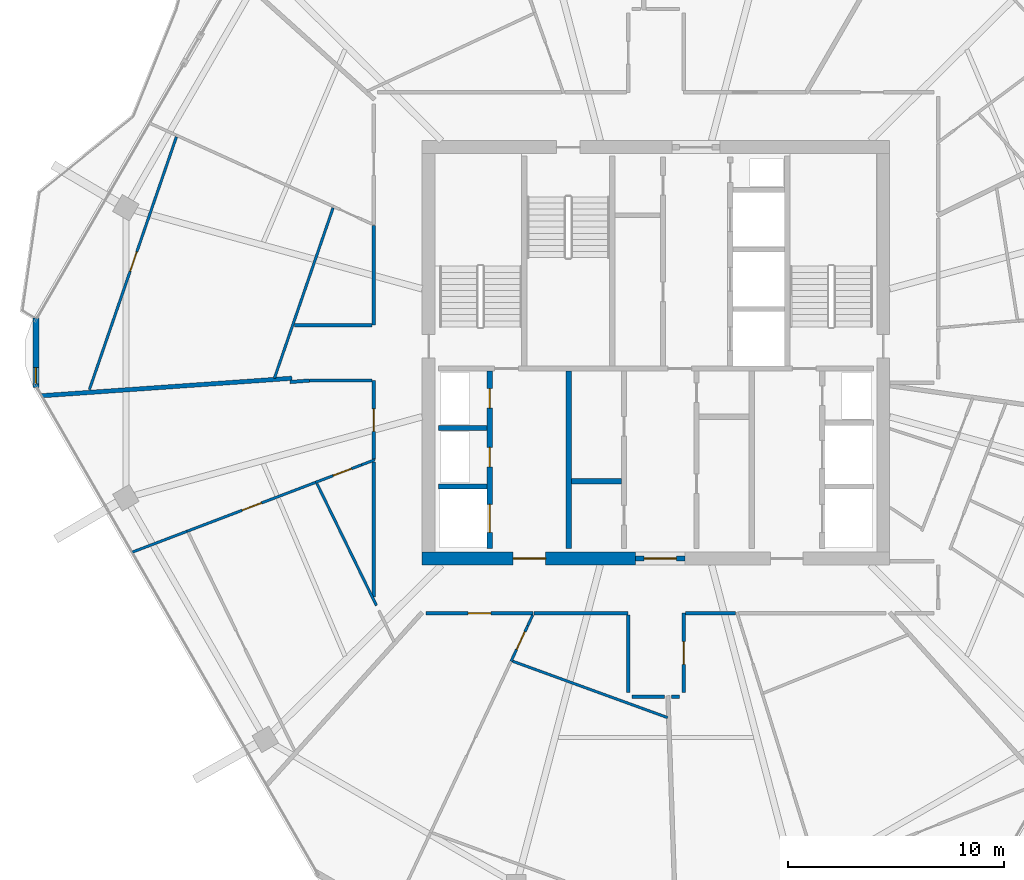
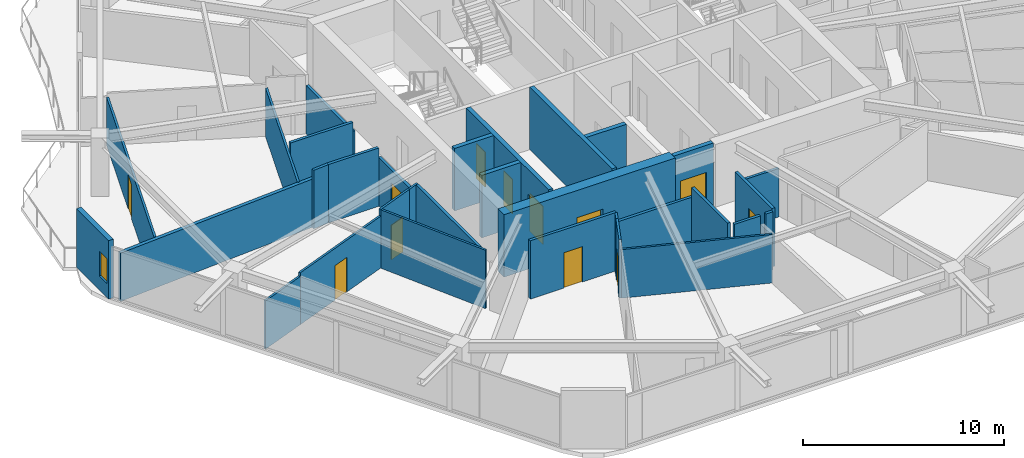
# One storey, part 18 of 25: 32 walls, 12 doors, 1 window, 13 openings.
"""IFC4 building model written with IfcOpenShell, lengths in metres."""

from ifc_helpers import new_model, si_unit, direction, frame, frame_2d, origin, place, context, subcontext, project, spatial, rectangle, extrude, material, layer, layer_set, type_object, element, fill, save


model = new_model("IFC4")

# Units and contexts
model_context = context("Model", 3, precision=1e-05, world=origin(), true_north=direction((0.0, 1.0)))
body_context = subcontext(model_context, "Body", "Model", "MODEL_VIEW")
ifc_project = project(units=[si_unit("LENGTHUNIT", "METRE"), si_unit("AREAUNIT", "SQUARE_METRE"), si_unit("VOLUMEUNIT", "CUBIC_METRE"), si_unit("PLANEANGLEUNIT", "RADIAN"), si_unit("MASSUNIT", "GRAM", prefix="KILO")], contexts=[model_context])

# Site, building, storey
site_placement = place(None, origin())
site = spatial("IfcSite", under=ifc_project, at=site_placement, CompositionType="ELEMENT")
building_placement = place(site_placement, origin())
building = spatial("IfcBuilding", under=site, at=building_placement, Name="Zuhravey Tower", CompositionType="ELEMENT")
storey_placement = place(building_placement, frame((0.0, 0.0, 235.0)))
storey = spatial("IfcBuildingStorey", under=building, at=storey_placement, Name="L59", CompositionType="ELEMENT", Elevation=235.0)

# Wall, opening, door
ifc_material_1 = material(Name="Concrete C50/60", Category="concrete")
ifc_layer_1 = layer(ifc_material_1, 0.60009765625)
ifc_layer_set_1 = layer_set([ifc_layer_1], Name="Concrete C50/60")
wall_type_1 = type_object("IfcWallType", Name="Core Shear Wall 600", PredefinedType="SHEAR", material=ifc_layer_set_1)
wall_1_placement = place(storey_placement, frame((25.199951171875, 22.5, 0.0), z_axis=(0.0, 0.0, 1.0), x_axis=(1.0, 0.0, 0.0)))
wall_1 = element("IfcWall", 1, at=wall_1_placement, inside=storey, type_object=wall_type_1, Name="L59 South-West Core Shear Wall CW60", PredefinedType="SHEAR", context=body_context, shape_type="SweptSolid", body=[
    extrude(rectangle(XDim=9.85009765625, YDim=0.60009765625, at=frame_2d((4.925048828125, 0.0))), origin(), (0.0, 0.0, 1.0), 3.800048828125),
])
opening_1_placement = place(wall_1_placement, frame((4.199951171875, 0.0, 0.0)))
opening_1 = element("IfcOpeningElement", 2, at=opening_1_placement, cuts=wall_1, Name="Opening FFD1", PredefinedType="OPENING", context=body_context, shape_type="SweptSolid", body=[
    extrude(rectangle(XDim=1.5, YDim=2.14990234375, at=frame_2d((0.75, 1.074951171875))), frame((0.0, 0.31201171875, 0.0), z_axis=(0.0, -1.0, 0.0), x_axis=(1.0, 0.0, 0.0)), (0.0, 0.0, 1.0), 0.6240234375),
])
ifc_material_2 = material(Name="Galvanised fire-rated steel leaf", Category="steel")
door_type_1 = type_object("IfcDoorType", Name="Firefighting Lobby Double Door 1500x2150", OperationType="DOUBLE_DOOR_SINGLE_SWING", PredefinedType="DOOR", material=ifc_material_2)
door_1_placement = place(opening_1_placement, origin())
door_1 = element("IfcDoor", 3, at=door_1_placement, inside=storey, type_object=door_type_1, Name="L59 Firefighting Lobby West Door", OperationType="DOUBLE_DOOR_SINGLE_SWING", OverallHeight=2.14990234375, OverallWidth=1.5, PredefinedType="DOOR", context=body_context, shape_type="SweptSolid", body=[
    extrude(rectangle(XDim=1.5, YDim=2.14990234375, at=frame_2d((0.75, 1.074951171875))), frame((0.0, 0.02490234375, 0.0), z_axis=(0.0, -1.0, 0.0), x_axis=(1.0, 0.0, 0.0)), (0.0, 0.0, 1.0), 0.050048828125),
])
fill(opening_1, door_1)

ifc_material_3 = material(Name="Gypsum fire-rated stud partition")
ifc_layer_2 = layer(ifc_material_3, 0.159912109375)
ifc_layer_set_2 = layer_set([ifc_layer_2], Name="Gypsum fire-rated stud partition")
wall_type_2 = type_object("IfcWallType", Name="Corridor Fire Partition 160", PredefinedType="PARTITIONING", material=ifc_layer_set_2)
wall_2_placement = place(storey_placement, frame((22.969970703125, 30.719970703125, 0.0), z_axis=(0.0, 0.0, 1.0), x_axis=(0.0, -1.0, 0.0)))
wall_2 = element("IfcWall", 4, at=wall_2_placement, inside=storey, type_object=wall_type_2, Name="L59 IW16 Partition 032", PredefinedType="PARTITIONING", context=body_context, shape_type="SweptSolid", body=[
    extrude(rectangle(XDim=3.65869140625, YDim=0.159912109375, at=frame_2d((1.829345703125, 0.0))), origin(), (0.0, 0.0, 1.0), 2.949951171875),
])
opening_2_placement = place(wall_2_placement, frame((1.30419921875, 0.0, 0.0)))
opening_2 = element("IfcOpeningElement", 5, at=opening_2_placement, cuts=wall_2, Name="Opening APD1", PredefinedType="OPENING", context=body_context, shape_type="SweptSolid", body=[
    extrude(rectangle(XDim=1.050048828125, YDim=2.14990234375, at=frame_2d((0.52490234375, 1.074951171875))), frame((0.0, 0.092041015625, 0.0), z_axis=(0.0, -1.0, 0.0), x_axis=(1.0, 0.0, 0.0)), (0.0, 0.0, 1.0), 0.183837890625),
])
ifc_material_4 = material(Name="Solid-core oak fire-rated leaf")
door_type_2 = type_object("IfcDoorType", Name="Apartment Entrance Fire Door 1050x2150", OperationType="NOTDEFINED", PredefinedType="DOOR", material=ifc_material_4)
door_2_placement = place(opening_2_placement, frame((1.050048828125, 0.0, 0.0), z_axis=(0.0, 0.0, 1.0), x_axis=(-1.0, 0.0, 0.0)))
door_2 = element("IfcDoor", 6, at=door_2_placement, inside=storey, type_object=door_type_2, Name="L59 Door 032.1", OperationType="SINGLE_SWING_LEFT", OverallHeight=2.14990234375, OverallWidth=1.050048828125, PredefinedType="DOOR", context=body_context, shape_type="SweptSolid", body=[
    extrude(rectangle(XDim=1.050048828125, YDim=2.14990234375, at=frame_2d((0.52490234375, 1.074951171875))), frame((0.0, 0.02490234375, 0.0), z_axis=(0.0, -1.0, 0.0), x_axis=(1.0, 0.0, 0.0)), (0.0, 0.0, 1.0), 0.050048828125),
])
fill(opening_2, door_2)

wall_3_placement = place(storey_placement, frame((25.383544921875, 19.969970703125, 0.0), z_axis=(0.0, 0.0, 1.0), x_axis=(1.0, 0.0, 0.0)))
wall_3 = element("IfcWall", 7, at=wall_3_placement, inside=storey, type_object=wall_type_2, Name="L59 IW16 Partition 036", PredefinedType="PARTITIONING", context=body_context, shape_type="SweptSolid", body=[
    extrude(rectangle(XDim=4.94384765625, YDim=0.159912109375, at=frame_2d((2.471923828125, 0.0))), origin(), (0.0, 0.0, 1.0), 3.550048828125),
])
opening_3_placement = place(wall_3_placement, frame((1.947021484375, 0.0, 0.0)))
opening_3 = element("IfcOpeningElement", 8, at=opening_3_placement, cuts=wall_3, Name="Opening APD1", PredefinedType="OPENING", context=body_context, shape_type="SweptSolid", body=[
    extrude(rectangle(XDim=1.050048828125, YDim=2.14990234375, at=frame_2d((0.52490234375, 1.074951171875))), frame((0.0, 0.092041015625, 0.0), z_axis=(0.0, -1.0, 0.0), x_axis=(1.0, 0.0, 0.0)), (0.0, 0.0, 1.0), 0.183837890625),
])
door_3_placement = place(opening_3_placement, frame((1.050048828125, 0.0, 0.0), z_axis=(0.0, 0.0, 1.0), x_axis=(-1.0, 0.0, 0.0)))
door_3 = element("IfcDoor", 9, at=door_3_placement, inside=storey, type_object=door_type_2, Name="L59 Door 036.1", OperationType="SINGLE_SWING_LEFT", OverallHeight=2.14990234375, OverallWidth=1.050048828125, PredefinedType="DOOR", context=body_context, shape_type="SweptSolid", body=[
    extrude(rectangle(XDim=1.050048828125, YDim=2.14990234375, at=frame_2d((0.52490234375, 1.074951171875))), frame((0.0, 0.02490234375, 0.0), z_axis=(0.0, -1.0, 0.0), x_axis=(1.0, 0.0, 0.0)), (0.0, 0.0, 1.0), 0.050048828125),
])
fill(opening_3, door_3)

wall_4_placement = place(storey_placement, frame((37.280029296875, 16.300048828125, 0.0), z_axis=(0.0, 0.0, 1.0), x_axis=(0.0, 1.0, 0.0)))
wall_4 = element("IfcWall", 10, at=wall_4_placement, inside=storey, type_object=wall_type_2, Name="L59 IW16 Partition 040", PredefinedType="PARTITIONING", context=body_context, shape_type="SweptSolid", body=[
    extrude(rectangle(XDim=3.669921875, YDim=0.159912109375, at=frame_2d((1.8349609375, 0.0))), origin(), (0.0, 0.0, 1.0), 3.550048828125),
])
opening_4_placement = place(wall_4_placement, frame((1.31005859375, 0.0, 0.0)))
opening_4 = element("IfcOpeningElement", 11, at=opening_4_placement, cuts=wall_4, Name="Opening APD1", PredefinedType="OPENING", context=body_context, shape_type="SweptSolid", body=[
    extrude(rectangle(XDim=1.050048828125, YDim=2.14990234375, at=frame_2d((0.52490234375, 1.074951171875))), frame((0.0, 0.092041015625, 0.0), z_axis=(0.0, -1.0, 0.0), x_axis=(1.0, 0.0, 0.0)), (0.0, 0.0, 1.0), 0.183837890625),
])
door_4_placement = place(opening_4_placement, frame((1.050048828125, 0.0, 0.0), z_axis=(0.0, 0.0, 1.0), x_axis=(-1.0, 0.0, 0.0)))
door_4 = element("IfcDoor", 12, at=door_4_placement, inside=storey, type_object=door_type_2, Name="L59 Door 040.1", OperationType="SINGLE_SWING_LEFT", OverallHeight=2.14990234375, OverallWidth=1.050048828125, PredefinedType="DOOR", context=body_context, shape_type="SweptSolid", body=[
    extrude(rectangle(XDim=1.050048828125, YDim=2.14990234375, at=frame_2d((0.52490234375, 1.074951171875))), frame((0.0, 0.02490234375, 0.0), z_axis=(0.0, -1.0, 0.0), x_axis=(1.0, 0.0, 0.0)), (0.0, 0.0, 1.0), 0.050048828125),
])
fill(opening_4, door_4)

# Walls
wall_5_placement = place(storey_placement, frame((22.969970703125, 37.888671875, 0.0), z_axis=(0.0, 0.0, 1.0), x_axis=(0.0, -1.0, 0.0)))
element("IfcWall", 13, at=wall_5_placement, inside=storey, type_object=wall_type_2, Name="L59 IW16 Partition 097", PredefinedType="PARTITIONING", context=body_context, shape_type="SweptSolid", body=[
    extrude(rectangle(XDim=4.608642578125, YDim=0.159912109375, at=frame_2d((2.30419921875, 0.0))), origin(), (0.0, 0.0, 1.0), 2.949951171875),
])
wall_6_placement = place(storey_placement, frame((22.882080078125, 33.280029296875, 0.0), z_axis=(0.0, 0.0, 1.0), x_axis=(-1.0, 0.0, 0.0)))
element("IfcWall", 14, at=wall_6_placement, inside=storey, type_object=wall_type_2, Name="L59 IW16 Partition 098", PredefinedType="PARTITIONING", context=body_context, shape_type="SweptSolid", body=[
    extrude(rectangle(XDim=3.58203125, YDim=0.159912109375, at=frame_2d((1.791015625, 0.0))), origin(), (0.0, 0.0, 1.0), 3.550048828125),
])
wall_7_placement = place(storey_placement, frame((19.990966796875, 30.719970703125, 0.0), z_axis=(0.0, 0.0, 1.0), x_axis=(1.0, 0.0, 0.0)))
element("IfcWall", 15, at=wall_7_placement, inside=storey, type_object=wall_type_2, Name="L59 IW16 Partition 099", PredefinedType="PARTITIONING", context=body_context, shape_type="SweptSolid", body=[
    extrude(rectangle(XDim=2.89111328125, YDim=0.159912109375, at=frame_2d((1.445556640625, 0.0))), origin(), (0.0, 0.0, 1.0), 3.550048828125),
])
wall_8_placement = place(storey_placement, frame((19.1005859375, 30.64990234375, 0.0), z_axis=(0.0, 0.0, 1.0), x_axis=(0.9969178709, 0.078452270071, 0.0)))
element("IfcWall", 16, at=wall_8_placement, inside=storey, type_object=wall_type_2, Name="L59 IW16 Partition 100", PredefinedType="PARTITIONING", context=body_context, shape_type="SweptSolid", body=[
    extrude(rectangle(XDim=0.89306640625, YDim=0.159912109375, at=frame_2d((0.446533203125, 0.0))), origin(), (0.0, 0.0, 1.0), 3.550048828125),
])
wall_9_placement = place(storey_placement, frame((22.969970703125, 26.96728515625, 0.0), z_axis=(0.0, 0.0, 1.0), x_axis=(0.0, -1.0, 0.0)))
element("IfcWall", 17, at=wall_9_placement, inside=storey, type_object=wall_type_2, Name="L59 IW16 Partition 101", PredefinedType="PARTITIONING", context=body_context, shape_type="SweptSolid", body=[
    extrude(rectangle(XDim=6.240966796875, YDim=0.159912109375, at=frame_2d((3.12060546875, 0.0))), origin(), (0.0, 0.0, 1.0), 3.550048828125),
])
wall_10_placement = place(storey_placement, frame((30.37158203125, 19.969970703125, 0.0), z_axis=(0.0, 0.0, 1.0), x_axis=(1.0, 0.0, 0.0)))
element("IfcWall", 18, at=wall_10_placement, inside=storey, type_object=wall_type_2, Name="L59 IW16 Partition 102", PredefinedType="PARTITIONING", context=body_context, shape_type="SweptSolid", body=[
    extrude(rectangle(XDim=4.348388671875, YDim=0.159912109375, at=frame_2d((2.17431640625, 0.0))), origin(), (0.0, 0.0, 1.0), 2.949951171875),
])
wall_11_placement = place(storey_placement, frame((34.719970703125, 19.882080078125, 0.0), z_axis=(0.0, 0.0, 1.0), x_axis=(0.0, -1.0, 0.0)))
element("IfcWall", 19, at=wall_11_placement, inside=storey, type_object=wall_type_2, Name="L59 IW16 Partition 103", PredefinedType="PARTITIONING", context=body_context, shape_type="SweptSolid", body=[
    extrude(rectangle(XDim=3.58203125, YDim=0.159912109375, at=frame_2d((1.791015625, 0.0))), origin(), (0.0, 0.0, 1.0), 3.550048828125),
])
wall_12_placement = place(storey_placement, frame((34.89990234375, 16.1201171875, 0.0), z_axis=(0.0, 0.0, 1.0), x_axis=(1.0, 0.0, 0.0)))
element("IfcWall", 20, at=wall_12_placement, inside=storey, type_object=wall_type_2, Name="L59 IW16 Partition 104", PredefinedType="PARTITIONING", context=body_context, shape_type="SweptSolid", body=[
    extrude(rectangle(XDim=1.495849609375, YDim=0.159912109375, at=frame_2d((0.748046875, 0.0))), origin(), (0.0, 0.0, 1.0), 3.550048828125),
])
wall_13_placement = place(storey_placement, frame((37.367919921875, 19.969970703125, 0.0), z_axis=(0.0, 0.0, 1.0), x_axis=(1.0, 0.0, 0.0)))
element("IfcWall", 21, at=wall_13_placement, inside=storey, type_object=wall_type_2, Name="L59 IW16 Partition 105", PredefinedType="PARTITIONING", context=body_context, shape_type="SweptSolid", body=[
    extrude(rectangle(XDim=2.3125, YDim=0.159912109375, at=frame_2d((1.15625, 0.0))), origin(), (0.0, 0.0, 1.0), 2.949951171875),
])
wall_14_placement = place(storey_placement, frame((36.71337890625, 16.1201171875, 0.0), z_axis=(0.0, 0.0, 1.0), x_axis=(1.0, 0.0, 0.0)))
element("IfcWall", 22, at=wall_14_placement, inside=storey, type_object=wall_type_2, Name="L59 IW16 Partition 106", PredefinedType="PARTITIONING", context=body_context, shape_type="SweptSolid", body=[
    extrude(rectangle(XDim=0.38671875, YDim=0.159912109375, at=frame_2d((0.193359375, 0.0))), origin(), (0.0, 0.0, 1.0), 3.550048828125),
])

# Wall, opening, window
ifc_material_5 = material(Name="Precast concrete C40/50", Category="concrete")
ifc_layer_3 = layer(ifc_material_5, 0.280029296875)
ifc_layer_set_3 = layer_set([ifc_layer_3], Name="Precast concrete C40/50")
wall_type_3 = type_object("IfcWallType", Name="Crown Architectural Wall 280", PredefinedType="SOLIDWALL", material=ifc_layer_set_3)
wall_15_placement = place(storey_placement, frame((7.35498046875, 30.392578125, 0.0), z_axis=(0.0, 0.0, 1.0), x_axis=(0.0, 1.0, 0.0)))
wall_15 = element("IfcWall", 23, at=wall_15_placement, inside=storey, type_object=wall_type_3, Name="L59 Rounded Corner Closure Wall EW28-06", PredefinedType="SOLIDWALL", context=body_context, shape_type="SweptSolid", body=[
    extrude(rectangle(XDim=3.21484375, YDim=0.280029296875, at=frame_2d((1.607421875, 0.0))), origin(), (0.0, 0.0, 1.0), 3.550048828125),
])
opening_5_placement = place(wall_15_placement, frame((0.17578125, 0.0, 0.85009765625)))
opening_5 = element("IfcOpeningElement", 24, at=opening_5_placement, cuts=wall_15, Name="Opening WN5", PredefinedType="OPENING", context=body_context, shape_type="SweptSolid", body=[
    extrude(rectangle(XDim=0.75, YDim=1.5, at=frame_2d((0.375, 0.75))), frame((0.0, 0.152099609375, 0.0), z_axis=(0.0, -1.0, 0.0), x_axis=(1.0, 0.0, 0.0)), (0.0, 0.0, 1.0), 0.303955078125),
])
ifc_material_6 = material(Name="Thermally broken aluminium and triple low-E glass", Category="aluminium")
window_type = type_object("IfcWindowType", Name="Residential Corner Casement Window 750x1500", PartitioningType="SINGLE_PANEL", PredefinedType="WINDOW", material=ifc_material_6)
window_placement = place(opening_5_placement, origin())
window = element("IfcWindow", 25, at=window_placement, inside=storey, type_object=window_type, Name="L59 Corner Casement Window WN5-06.1", OverallHeight=1.5, OverallWidth=0.75, PartitioningType="SINGLE_PANEL", PredefinedType="WINDOW", context=body_context, shape_type="SweptSolid", body=[
    extrude(rectangle(XDim=0.75, YDim=1.5, at=frame_2d((0.375, 0.75))), frame((0.0, 0.030029296875, 0.0), z_axis=(0.0, -1.0, 0.0), x_axis=(1.0, 0.0, 0.0)), (0.0, 0.0, 1.0), 0.06005859375),
])
fill(opening_5, window)

# Wall, opening, door
ifc_layer_4 = layer(ifc_material_1, 0.25)
ifc_layer_set_4 = layer_set([ifc_layer_4], Name="Concrete C50/60")
wall_type_4 = type_object("IfcWallType", Name="Firefighting Shaft & Stair Wall 250", PredefinedType="SOLIDWALL", material=ifc_layer_set_4)
wall_16_placement = place(storey_placement, frame((35.06005859375, 22.5, 0.0), z_axis=(0.0, 0.0, 1.0), x_axis=(1.0, 0.0, 0.0)))
wall_16 = element("IfcWall", 26, at=wall_16_placement, inside=storey, type_object=wall_type_4, Name="L59 FW25 Shaft Wall 001", PredefinedType="SOLIDWALL", context=body_context, shape_type="SweptSolid", body=[
    extrude(rectangle(XDim=2.280029296875, YDim=0.25, at=frame_2d((1.14013671875, 0.0))), origin(), (0.0, 0.0, 1.0), 3.800048828125),
])
opening_6_placement = place(wall_16_placement, frame((0.389892578125, 0.0, 0.0)))
opening_6 = element("IfcOpeningElement", 27, at=opening_6_placement, cuts=wall_16, Name="Opening FFD1", PredefinedType="OPENING", context=body_context, shape_type="SweptSolid", body=[
    extrude(rectangle(XDim=1.5, YDim=2.14990234375, at=frame_2d((0.75, 1.074951171875))), frame((0.0, 0.136962890625, 0.0), z_axis=(0.0, -1.0, 0.0), x_axis=(1.0, 0.0, 0.0)), (0.0, 0.0, 1.0), 0.27392578125),
])
door_5_placement = place(opening_6_placement, frame((1.5, 0.0, 0.0), z_axis=(0.0, 0.0, 1.0), x_axis=(-1.0, 0.0, 0.0)))
door_5 = element("IfcDoor", 28, at=door_5_placement, inside=storey, type_object=door_type_1, Name="L59 South Lift Lobby Exit Door", OperationType="DOUBLE_DOOR_SINGLE_SWING", OverallHeight=2.14990234375, OverallWidth=1.5, PredefinedType="DOOR", context=body_context, shape_type="SweptSolid", body=[
    extrude(rectangle(XDim=1.5, YDim=2.14990234375, at=frame_2d((0.75, 1.074951171875))), frame((0.0, 0.02490234375, 0.0), z_axis=(0.0, -1.0, 0.0), x_axis=(1.0, 0.0, 0.0)), (0.0, 0.0, 1.0), 0.050048828125),
])
fill(opening_6, door_5)

# Walls
for number, where, z_axis, x_axis, name in (
    (29, (25.949951171875, 25.824951171875, 0.0), (0.0, 0.0, 1.0), (1.0, 0.0, 0.0), "L59 FW25 Shaft Wall 009"),
    (30, (25.949951171875, 28.52490234375, 0.0), (0.0, 0.0, 1.0), (1.0, 0.0, 0.0), "L59 FW25 Shaft Wall 010"),
):
    element("IfcWall", number, at=place(storey_placement, frame(where, z_axis=z_axis, x_axis=x_axis)), inside=storey, type_object=wall_type_4, Name=name, PredefinedType="SOLIDWALL", context=body_context, shape_type="SweptSolid", body=[
        extrude(rectangle(XDim=2.25, YDim=0.25, at=frame_2d((1.125, 0.0))), origin(), (0.0, 0.0, 1.0), 3.800048828125),
    ])

# Wall, openings, doors
wall_17_placement = place(storey_placement, frame((28.324951171875, 22.949951171875, 0.0), z_axis=(0.0, 0.0, 1.0), x_axis=(0.0, 1.0, 0.0)))
wall_17 = element("IfcWall", 31, at=wall_17_placement, inside=storey, type_object=wall_type_4, Name="L59 FW25 Shaft Wall 011", PredefinedType="SOLIDWALL", context=body_context, shape_type="SweptSolid", body=[
    extrude(rectangle(XDim=8.199951171875, YDim=0.25, at=frame_2d((4.10009765625, 0.0))), origin(), (0.0, 0.0, 1.0), 3.800048828125),
])
opening_7_placement = place(wall_17_placement, frame((0.75, 0.0, 0.0)))
opening_7 = element("IfcOpeningElement", 32, at=opening_7_placement, cuts=wall_17, Name="Opening LD2", PredefinedType="OPENING", context=body_context, shape_type="SweptSolid", body=[
    extrude(rectangle(XDim=1.300048828125, YDim=2.300048828125, at=frame_2d((0.64990234375, 1.14990234375))), frame((0.0, 0.136962890625, 0.0), z_axis=(0.0, -1.0, 0.0), x_axis=(1.0, 0.0, 0.0)), (0.0, 0.0, 1.0), 0.27392578125),
])
opening_8_placement = place(wall_17_placement, frame((3.780029296875, 0.0, 0.0)))
opening_8 = element("IfcOpeningElement", 33, at=opening_8_placement, cuts=wall_17, Name="Opening RSD1", PredefinedType="OPENING", context=body_context, shape_type="SweptSolid", body=[
    extrude(rectangle(XDim=0.89990234375, YDim=2.10009765625, at=frame_2d((0.449951171875, 1.050048828125))), frame((0.0, 0.136962890625, 0.0), z_axis=(0.0, -1.0, 0.0), x_axis=(1.0, 0.0, 0.0)), (0.0, 0.0, 1.0), 0.27392578125),
])
opening_9_placement = place(wall_17_placement, frame((6.5, 0.0, 0.0)))
opening_9 = element("IfcOpeningElement", 34, at=opening_9_placement, cuts=wall_17, Name="Opening RSD1", PredefinedType="OPENING", context=body_context, shape_type="SweptSolid", body=[
    extrude(rectangle(XDim=0.89990234375, YDim=2.10009765625, at=frame_2d((0.449951171875, 1.050048828125))), frame((0.0, 0.136962890625, 0.0), z_axis=(0.0, -1.0, 0.0), x_axis=(1.0, 0.0, 0.0)), (0.0, 0.0, 1.0), 0.27392578125),
])
ifc_material_7 = material(Name="Brushed stainless steel", Category="steel")
door_type_3 = type_object("IfcDoorType", Name="Freight & Stretcher Lift Sliding Door 1300x2300", OperationType="DOUBLE_DOOR_SLIDING", PredefinedType="DOOR", material=ifc_material_7)
door_6_placement = place(opening_7_placement, frame((1.300048828125, 0.0, 0.0), z_axis=(0.0, 0.0, 1.0), x_axis=(-1.0, 0.0, 0.0)))
door_6 = element("IfcDoor", 35, at=door_6_placement, inside=storey, type_object=door_type_3, Name="L59 Lift FF1 Landing Door", OperationType="DOUBLE_DOOR_SLIDING", OverallHeight=2.300048828125, OverallWidth=1.300048828125, PredefinedType="DOOR", context=body_context, shape_type="SweptSolid", body=[
    extrude(rectangle(XDim=1.300048828125, YDim=2.300048828125, at=frame_2d((0.64990234375, 1.14990234375))), frame((0.0, 0.02490234375, 0.0), z_axis=(0.0, -1.0, 0.0), x_axis=(1.0, 0.0, 0.0)), (0.0, 0.0, 1.0), 0.050048828125),
])
fill(opening_7, door_6)
ifc_material_8 = material(Name="Galvanised fire-rated steel access leaf", Category="steel")
door_type_4 = type_object("IfcDoorType", Name="Riser & Shaft Access Fire Door 900x2100", OperationType="NOTDEFINED", PredefinedType="DOOR", material=ifc_material_8)
door_7_placement = place(opening_8_placement, frame((0.89990234375, 0.0, 0.0), z_axis=(0.0, 0.0, 1.0), x_axis=(-1.0, 0.0, 0.0)))
door_7 = element("IfcDoor", 36, at=door_7_placement, inside=storey, type_object=door_type_4, Name="L59 Electrical Riser Door", OperationType="SINGLE_SWING_LEFT", OverallHeight=2.10009765625, OverallWidth=0.89990234375, PredefinedType="DOOR", context=body_context, shape_type="SweptSolid", body=[
    extrude(rectangle(XDim=0.89990234375, YDim=2.10009765625, at=frame_2d((0.449951171875, 1.050048828125))), frame((0.0, 0.02490234375, 0.0), z_axis=(0.0, -1.0, 0.0), x_axis=(1.0, 0.0, 0.0)), (0.0, 0.0, 1.0), 0.050048828125),
])
fill(opening_8, door_7)
door_8_placement = place(opening_9_placement, frame((0.89990234375, 0.0, 0.0), z_axis=(0.0, 0.0, 1.0), x_axis=(-1.0, 0.0, 0.0)))
door_8 = element("IfcDoor", 37, at=door_8_placement, inside=storey, type_object=door_type_4, Name="L59 Smoke Shaft Access Door", OperationType="SINGLE_SWING_RIGHT", OverallHeight=2.10009765625, OverallWidth=0.89990234375, PredefinedType="DOOR", context=body_context, shape_type="SweptSolid", body=[
    extrude(rectangle(XDim=0.89990234375, YDim=2.10009765625, at=frame_2d((0.449951171875, 1.050048828125))), frame((0.0, 0.02490234375, 0.0), z_axis=(0.0, -1.0, 0.0), x_axis=(1.0, 0.0, 0.0)), (0.0, 0.0, 1.0), 0.050048828125),
])
fill(opening_9, door_8)

# Walls
wall_18_placement = place(storey_placement, frame((31.97509765625, 22.949951171875, 0.0), z_axis=(0.0, 0.0, 1.0), x_axis=(0.0, 1.0, 0.0)))
element("IfcWall", 38, at=wall_18_placement, inside=storey, type_object=wall_type_4, Name="L59 FW25 Shaft Wall 012", PredefinedType="SOLIDWALL", context=body_context, shape_type="SweptSolid", body=[
    extrude(rectangle(XDim=8.199951171875, YDim=0.25, at=frame_2d((4.10009765625, 0.0))), origin(), (0.0, 0.0, 1.0), 3.800048828125),
])
wall_19_placement = place(storey_placement, frame((32.10009765625, 26.074951171875, 0.0), z_axis=(0.0, 0.0, 1.0), x_axis=(1.0, 0.0, 0.0)))
element("IfcWall", 39, at=wall_19_placement, inside=storey, type_object=wall_type_4, Name="L59 FW25 Shaft Wall 013", PredefinedType="SOLIDWALL", context=body_context, shape_type="SweptSolid", body=[
    extrude(rectangle(XDim=2.2998046875, YDim=0.25, at=frame_2d((1.14990234375, 0.0))), origin(), (0.0, 0.0, 1.0), 3.800048828125),
])
ifc_material_9 = material(Name="Gypsum double-stud party assembly")
ifc_layer_5 = layer(ifc_material_9, 0.199951171875)
ifc_layer_set_5 = layer_set([ifc_layer_5], Name="Gypsum double-stud party assembly")
wall_type_5 = type_object("IfcWallType", Name="Inter-Tenancy Party Wall 200", PredefinedType="PARTITIONING", material=ifc_layer_set_5)
wall_20_placement = place(storey_placement, frame((19.1826171875, 30.823974609375, 0.0), z_axis=(0.0, 0.0, 1.0), x_axis=(-0.997565085498, -0.069741667573, 0.0)))
element("IfcWall", 40, at=wall_20_placement, inside=storey, type_object=wall_type_5, Name="L59 IW20 Partition 066", PredefinedType="PARTITIONING", context=body_context, shape_type="SweptSolid", body=[
    extrude(rectangle(XDim=11.583740234375, YDim=0.199951171875, at=frame_2d((5.7919921875, 0.0))), origin(), (0.0, 0.0, 1.0), 2.929931640625),
])

# Wall, opening, door
ifc_material_10 = material(Name="Gypsum metal-stud partition")
ifc_layer_6 = layer(ifc_material_10, 0.1201171875)
ifc_layer_set_6 = layer_set([ifc_layer_6], Name="Gypsum metal-stud partition")
wall_type_6 = type_object("IfcWallType", Name="Unit Internal Partition 120", PredefinedType="PARTITIONING", material=ifc_layer_set_6)
wall_21_placement = place(storey_placement, frame((13.850341796875, 41.972900390625, 0.0), z_axis=(0.0, 0.0, 1.0), x_axis=(-0.325567715509, -0.945518726741, 0.0)))
wall_21 = element("IfcWall", 41, at=wall_21_placement, inside=storey, type_object=wall_type_6, Name="L59 IW12 Partition 027", PredefinedType="PARTITIONING", context=body_context, shape_type="SweptSolid", body=[
    extrude(rectangle(XDim=12.34619140625, YDim=0.1201171875, at=frame_2d((6.173095703125, 0.0))), origin(), (0.0, 0.0, 1.0), 2.929931640625),
])
opening_10_placement = place(wall_21_placement, frame((5.61376953125, 0.0, 0.0)))
opening_10 = element("IfcOpeningElement", 42, at=opening_10_placement, cuts=wall_21, Name="Opening IND1", PredefinedType="OPENING", context=body_context, shape_type="SweptSolid", body=[
    extrude(rectangle(XDim=0.949951171875, YDim=2.10009765625, at=frame_2d((0.47509765625, 1.050048828125))), frame((0.0, 0.072021484375, 0.0), z_axis=(0.0, -1.0, 0.0), x_axis=(1.0, 0.0, 0.0)), (0.0, 0.0, 1.0), 0.14404296875),
])
ifc_material_11 = material(Name="Painted engineered timber leaf", Category="wood")
door_type_5 = type_object("IfcDoorType", Name="Internal Room & Bedroom Door 950x2100", OperationType="NOTDEFINED", PredefinedType="DOOR", material=ifc_material_11)
door_9_placement = place(opening_10_placement, frame((0.949951171875, 0.0, 0.0), z_axis=(0.0, 0.0, 1.0), x_axis=(-1.0, 0.0, 0.0)))
door_9 = element("IfcDoor", 43, at=door_9_placement, inside=storey, type_object=door_type_5, Name="Apartment L59-02 Bedroom 1 Door", OperationType="SINGLE_SWING_RIGHT", OverallHeight=2.10009765625, OverallWidth=0.949951171875, PredefinedType="DOOR", context=body_context, shape_type="SweptSolid", body=[
    extrude(rectangle(XDim=0.949951171875, YDim=2.10009765625, at=frame_2d((0.47509765625, 1.050048828125))), frame((0.0, 0.02490234375, 0.0), z_axis=(0.0, -1.0, 0.0), x_axis=(1.0, 0.0, 0.0)), (0.0, 0.0, 1.0), 0.050048828125),
])
fill(opening_10, door_9)

wall_22_placement = place(storey_placement, frame((22.39990234375, 26.822998046875, 0.0), z_axis=(0.0, 0.0, 1.0), x_axis=(-0.934561226784, -0.355802351583, 0.0)))
wall_22 = element("IfcWall", 44, at=wall_22_placement, inside=storey, type_object=wall_type_6, Name="L59 IW12 Partition 029", PredefinedType="PARTITIONING", context=body_context, shape_type="SweptSolid", body=[
    extrude(rectangle(XDim=2.26220703125, YDim=0.1201171875, at=frame_2d((1.131103515625, 0.0))), origin(), (0.0, 0.0, 1.0), 3.550048828125),
])
opening_11_placement = place(wall_22_placement, frame((0.500244140625, 0.0, 0.0)))
opening_11 = element("IfcOpeningElement", 45, at=opening_11_placement, cuts=wall_22, Name="Opening WCD1", PredefinedType="OPENING", context=body_context, shape_type="SweptSolid", body=[
    extrude(rectangle(XDim=0.89990234375, YDim=2.10009765625, at=frame_2d((0.449951171875, 1.050048828125))), frame((0.0, 0.072021484375, 0.0), z_axis=(0.0, -1.0, 0.0), x_axis=(1.0, 0.0, 0.0)), (0.0, 0.0, 1.0), 0.14404296875),
])
ifc_material_12 = material(Name="Moisture-resistant timber leaf", Category="wood")
door_type_6 = type_object("IfcDoorType", Name="Bathroom & WC Internal Door 900x2100", OperationType="NOTDEFINED", PredefinedType="DOOR", material=ifc_material_12)
door_10_placement = place(opening_11_placement, origin())
door_10 = element("IfcDoor", 46, at=door_10_placement, inside=storey, type_object=door_type_6, Name="Apartment L59-03 Bathroom Door", OperationType="SINGLE_SWING_RIGHT", OverallHeight=2.10009765625, OverallWidth=0.89990234375, PredefinedType="DOOR", context=body_context, shape_type="SweptSolid", body=[
    extrude(rectangle(XDim=0.89990234375, YDim=2.10009765625, at=frame_2d((0.449951171875, 1.050048828125))), frame((0.0, 0.02490234375, 0.0), z_axis=(0.0, -1.0, 0.0), x_axis=(1.0, 0.0, 0.0)), (0.0, 0.0, 1.0), 0.050048828125),
])
fill(opening_11, door_10)

wall_23_placement = place(storey_placement, frame((20.28564453125, 26.01806640625, 0.0), z_axis=(0.0, 0.0, 1.0), x_axis=(-0.934578936747, -0.355755830577, 0.0)))
wall_23 = element("IfcWall", 47, at=wall_23_placement, inside=storey, type_object=wall_type_6, Name="L59 IW12 Partition 030", PredefinedType="PARTITIONING", context=body_context, shape_type="SweptSolid", body=[
    extrude(rectangle(XDim=6.35888671875, YDim=0.1201171875, at=frame_2d((3.179443359375, 0.0))), origin(), (0.0, 0.0, 1.0), 3.14990234375),
])
opening_12_placement = place(wall_23_placement, frame((2.679443359375, 0.0, 0.0)))
opening_12 = element("IfcOpeningElement", 48, at=opening_12_placement, cuts=wall_23, Name="Opening IND1", PredefinedType="OPENING", context=body_context, shape_type="SweptSolid", body=[
    extrude(rectangle(XDim=0.949951171875, YDim=2.10009765625, at=frame_2d((0.47509765625, 1.050048828125))), frame((0.0, 0.072021484375, 0.0), z_axis=(0.0, -1.0, 0.0), x_axis=(1.0, 0.0, 0.0)), (0.0, 0.0, 1.0), 0.14404296875),
])
door_11_placement = place(opening_12_placement, origin())
door_11 = element("IfcDoor", 49, at=door_11_placement, inside=storey, type_object=door_type_5, Name="Apartment L59-03 Home Office Door", OperationType="SINGLE_SWING_LEFT", OverallHeight=2.10009765625, OverallWidth=0.949951171875, PredefinedType="DOOR", context=body_context, shape_type="SweptSolid", body=[
    extrude(rectangle(XDim=0.949951171875, YDim=2.10009765625, at=frame_2d((0.47509765625, 1.050048828125))), frame((0.0, 0.02490234375, 0.0), z_axis=(0.0, -1.0, 0.0), x_axis=(1.0, 0.0, 0.0)), (0.0, 0.0, 1.0), 0.050048828125),
])
fill(opening_12, door_11)

wall_24_placement = place(storey_placement, frame((30.08154296875, 19.39990234375, 0.0), z_axis=(0.0, 0.0, 1.0), x_axis=(-0.425163142446, -0.905116734077, 0.0)))
wall_24 = element("IfcWall", 50, at=wall_24_placement, inside=storey, type_object=wall_type_6, Name="L59 IW12 Partition 033", PredefinedType="PARTITIONING", context=body_context, shape_type="SweptSolid", body=[
    extrude(rectangle(XDim=1.818115234375, YDim=0.1201171875, at=frame_2d((0.9091796875, 0.0))), origin(), (0.0, 0.0, 1.0), 3.550048828125),
])
opening_13_placement = place(wall_24_placement, frame((0.313720703125, 0.0, 0.0)))
opening_13 = element("IfcOpeningElement", 51, at=opening_13_placement, cuts=wall_24, Name="Opening WCD1", PredefinedType="OPENING", context=body_context, shape_type="SweptSolid", body=[
    extrude(rectangle(XDim=0.89990234375, YDim=2.10009765625, at=frame_2d((0.449951171875, 1.050048828125))), frame((0.0, 0.072021484375, 0.0), z_axis=(0.0, -1.0, 0.0), x_axis=(1.0, 0.0, 0.0)), (0.0, 0.0, 1.0), 0.14404296875),
])
door_12_placement = place(opening_13_placement, origin())
door_12 = element("IfcDoor", 52, at=door_12_placement, inside=storey, type_object=door_type_6, Name="Apartment L59-04 Bathroom Door", OperationType="SINGLE_SWING_RIGHT", OverallHeight=2.10009765625, OverallWidth=0.89990234375, PredefinedType="DOOR", context=body_context, shape_type="SweptSolid", body=[
    extrude(rectangle(XDim=0.89990234375, YDim=2.10009765625, at=frame_2d((0.449951171875, 1.050048828125))), frame((0.0, 0.02490234375, 0.0), z_axis=(0.0, -1.0, 0.0), x_axis=(1.0, 0.0, 0.0)), (0.0, 0.0, 1.0), 0.050048828125),
])
fill(opening_13, door_12)

# Walls
wall_25_placement = place(storey_placement, frame((21.0859375, 38.690673828125, 0.0), z_axis=(0.0, 0.0, 1.0), x_axis=(-0.325576573931, -0.9455156765, 0.0)))
element("IfcWall", 53, at=wall_25_placement, inside=storey, type_object=wall_type_6, Name="L59 IW12 Partition 065", PredefinedType="PARTITIONING", context=body_context, shape_type="SweptSolid", body=[
    extrude(rectangle(XDim=8.322021484375, YDim=0.1201171875, at=frame_2d((4.1611328125, 0.0))), origin(), (0.0, 0.0, 1.0), 2.949951171875),
])
wall_26_placement = place(storey_placement, frame((23.01318359375, 27.056396484375, 0.0), z_axis=(0.0, 0.0, 1.0), x_axis=(-0.934605562939, -0.355685875068, 0.0)))
element("IfcWall", 54, at=wall_26_placement, inside=storey, type_object=wall_type_6, Name="L59 IW12 Partition 067", PredefinedType="PARTITIONING", context=body_context, shape_type="SweptSolid", body=[
    extrude(rectangle(XDim=0.65625, YDim=0.1201171875, at=frame_2d((0.328125, 0.0))), origin(), (0.0, 0.0, 1.0), 3.550048828125),
])
wall_27_placement = place(storey_placement, frame((14.3427734375, 23.755859375, 0.0), z_axis=(0.0, 0.0, 1.0), x_axis=(-0.93457995238, -0.355753162472, 0.0)))
element("IfcWall", 55, at=wall_27_placement, inside=storey, type_object=wall_type_6, Name="L59 IW12 Partition 068", PredefinedType="PARTITIONING", context=body_context, shape_type="SweptSolid", body=[
    extrude(rectangle(XDim=2.72509765625, YDim=0.1201171875, at=frame_2d((1.362548828125, 0.0))), origin(), (0.0, 0.0, 1.0), 2.929931640625),
])
wall_28_placement = place(storey_placement, frame((20.339111328125, 25.965576171875, 0.0), z_axis=(0.0, 0.0, 1.0), x_axis=(0.438368444203, -0.898795364433, 0.0)))
element("IfcWall", 56, at=wall_28_placement, inside=storey, type_object=wall_type_6, Name="L59 IW12 Partition 069", PredefinedType="PARTITIONING", context=body_context, shape_type="SweptSolid", body=[
    extrude(rectangle(XDim=6.275390625, YDim=0.1201171875, at=frame_2d((3.1376953125, 0.0))), origin(), (0.0, 0.0, 1.0), 3.550048828125),
])
wall_29_placement = place(storey_placement, frame((30.30810546875, 19.882080078125, 0.0), z_axis=(0.0, 0.0, 1.0), x_axis=(-0.425267300576, -0.905067800256, 0.0)))
element("IfcWall", 57, at=wall_29_placement, inside=storey, type_object=wall_type_6, Name="L59 IW12 Partition 072", PredefinedType="PARTITIONING", context=body_context, shape_type="SweptSolid", body=[
    extrude(rectangle(XDim=0.53271484375, YDim=0.1201171875, at=frame_2d((0.266357421875, 0.0))), origin(), (0.0, 0.0, 1.0), 3.550048828125),
])
wall_30_placement = place(storey_placement, frame((29.38330078125, 17.753662109375, 0.0), z_axis=(0.0, 0.0, 1.0), x_axis=(0.939684825918, -0.342041558791, 0.0)))
element("IfcWall", 58, at=wall_30_placement, inside=storey, type_object=wall_type_6, Name="L59 IW12 Partition 074", PredefinedType="PARTITIONING", context=body_context, shape_type="SweptSolid", body=[
    extrude(rectangle(XDim=7.617431640625, YDim=0.1201171875, at=frame_2d((3.80859375, 0.0))), origin(), (0.0, 0.0, 1.0), 2.949951171875),
])

save(model, "model.ifc")
